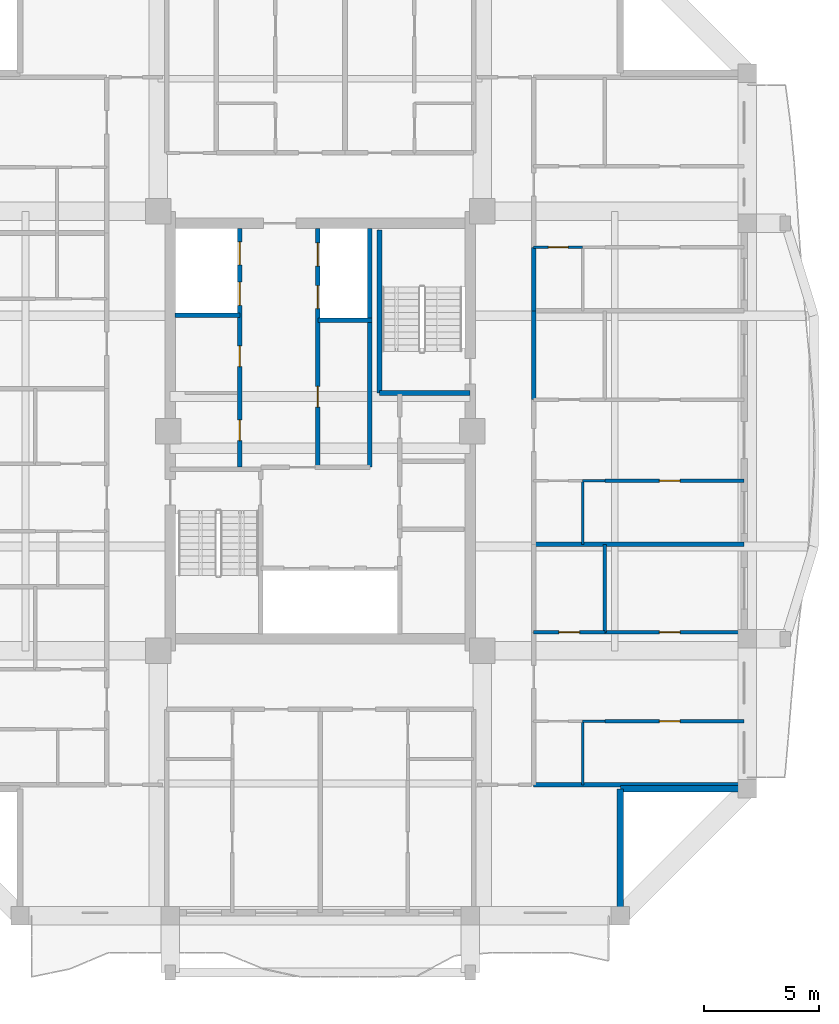
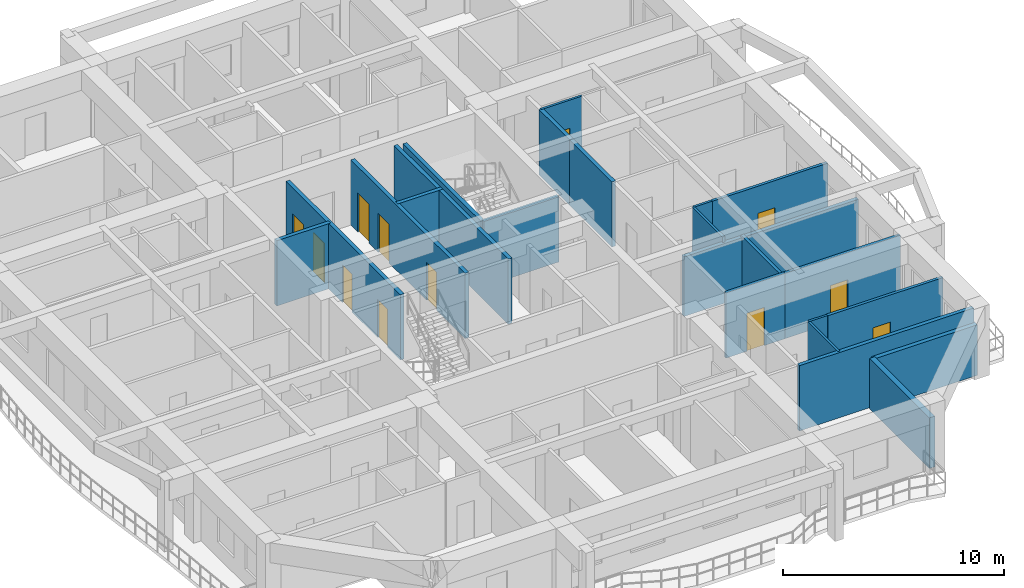
# One storey, part 5 of 14: 24 walls, 12 doors, 12 openings.
"""IFC4 building model written with IfcOpenShell, lengths in metres."""

import ifcopenshell
import ifcopenshell.guid

model = None  # the IFC model being written
_history = None  # IfcOwnerHistory: only IFC2X3 demands one
_inside = {}  # id of a spatial element -> (the spatial element, [elements in it])
_under = {}  # id of a project, library or spatial element -> (it, [spatial elements below it])
_declared = {}  # id of a project -> (the project, [libraries it declares])
_typed = {}  # id of a type object -> (the type object, [elements of that type])
_made_of = {}  # id of a material, layer set ... -> (it, [elements and type objects made of it])


def new_model(schema):
    """Start an empty IFC model of exactly this schema.

    Asked for "IFC4X3", IfcOpenShell would pick the latest addendum, in which some entities
    have other attributes; the version numbers below select the first issue.
    IFC2X3 requires an IfcOwnerHistory on every rooted entity: one is made here for all.
    """
    global model, _history
    if schema == "IFC4X3":
        model = ifcopenshell.file(schema_version=(4, 3, 0, 0))
    else:
        model = ifcopenshell.file(schema=schema)
    _inside.clear()
    _under.clear()
    _declared.clear()
    _typed.clear()
    _made_of.clear()
    _history = None
    if model.schema == "IFC2X3":
        org = make("IfcOrganization", Name="unknown")
        user = make(
            "IfcPersonAndOrganization",
            ThePerson=make("IfcPerson", FamilyName="unknown"),
            TheOrganization=org,
        )
        app = make(
            "IfcApplication",
            ApplicationDeveloper=org,
            Version="unknown",
            ApplicationFullName="unknown",
            ApplicationIdentifier="unknown",
        )
        _history = make(
            "IfcOwnerHistory",
            OwningUser=user,
            OwningApplication=app,
            ChangeAction="ADDED",
            CreationDate=0,
        )
    return model


def make(cls, **values):
    """One entity of the class cls with the attributes given. An attribute that is None is left unset."""
    return model.create_entity(
        cls, **{name: value for name, value in values.items() if value is not None}
    )


def rooted(cls, **values):
    """An entity with a GlobalId (a new one), such as an element, a storey or a relation."""
    return make(cls, GlobalId=ifcopenshell.guid.new(), OwnerHistory=_history, **values)


def si_unit(unit_type, name, prefix=None):
    """IfcSIUnit, for example si_unit("LENGTHUNIT", "METRE", prefix="MILLI")."""
    return make("IfcSIUnit", UnitType=unit_type, Prefix=prefix, Name=name)


def assignment(units):
    """IfcUnitAssignment: the units of a project."""
    return None if units is None else make("IfcUnitAssignment", Units=units)


def point(xyz):
    """IfcCartesianPoint."""
    return None if xyz is None else make("IfcCartesianPoint", Coordinates=xyz)


def direction(xyz):
    """IfcDirection."""
    return None if xyz is None else make("IfcDirection", DirectionRatios=xyz)


def frame(location, z_axis=None, x_axis=None):
    """IfcAxis2Placement3D, a coordinate frame: its origin and axes. An axis left out is left unset."""
    return make(
        "IfcAxis2Placement3D",
        Location=point(location),
        Axis=direction(z_axis),
        RefDirection=direction(x_axis),
    )


def frame_2d(location, x_axis=None):
    """IfcAxis2Placement2D, a coordinate frame in the plane: its origin and x axis."""
    return make(
        "IfcAxis2Placement2D", Location=point(location), RefDirection=direction(x_axis)
    )


def origin():
    """The frame at (0, 0, 0) with its axes left unset."""
    return frame((0.0, 0.0, 0.0))


def place(relative_to, where):
    """IfcLocalPlacement: puts the frame where relative to a parent placement (None: the world)."""
    return make(
        "IfcLocalPlacement", PlacementRelTo=relative_to, RelativePlacement=where
    )


def context(
    kind, dimensions, precision=None, world=None, true_north=None, identifier=None
):
    """IfcGeometricRepresentationContext, for example the 3D "Model" context."""
    return make(
        "IfcGeometricRepresentationContext",
        ContextIdentifier=identifier,
        ContextType=kind,
        CoordinateSpaceDimension=dimensions,
        Precision=precision,
        WorldCoordinateSystem=world,
        TrueNorth=true_north,
    )


def subcontext(parent, identifier, kind, view, scale=None):
    """IfcGeometricRepresentationSubContext, for example "Body" below "Model"."""
    return make(
        "IfcGeometricRepresentationSubContext",
        ContextIdentifier=identifier,
        ContextType=kind,
        ParentContext=parent,
        TargetScale=scale,
        TargetView=view,
    )


def project(units=None, contexts=None):
    """IfcProject with its units and contexts."""
    return rooted(
        "IfcProject",
        Name="project",
        RepresentationContexts=contexts,
        UnitsInContext=assignment(units),
    )


def spatial(cls, under=None, at=None, **own):
    """A site, building, storey or space (cls), placed at a placement, below another one or the project."""
    s = rooted(cls, ObjectPlacement=at, **own)
    if under is not None:
        _under.setdefault(under.id(), (under, []))[1].append(s)
    return s


def profile(cls, at=None, kind="AREA", **sizes):
    """A parametric profile (cls). Its sizes go by their IFC names, for example OverallWidth=200.0."""
    return make(cls, ProfileType=kind, Position=at, **sizes)


def rectangle(**sizes):
    """IfcRectangleProfileDef."""
    return profile("IfcRectangleProfileDef", **sizes)


def extrude(swept, where, along, depth):
    """IfcExtrudedAreaSolid: the profile swept, set in the frame where, extruded along a direction by depth."""
    return make(
        "IfcExtrudedAreaSolid",
        SweptArea=swept,
        Position=where,
        ExtrudedDirection=direction(along),
        Depth=depth,
    )


def shape(context_of_items, identifier, shape_type, items):
    """IfcShapeRepresentation: the items that make up one representation, for example the "Body"."""
    return make(
        "IfcShapeRepresentation",
        ContextOfItems=context_of_items,
        RepresentationIdentifier=identifier,
        RepresentationType=shape_type,
        Items=items,
    )


def source(mapping_origin, context_of_items, identifier, shape_type, items):
    """IfcRepresentationMap: a shape defined once, which mapped items show again and again."""
    return make(
        "IfcRepresentationMap",
        MappingOrigin=mapping_origin,
        MappedRepresentation=shape(context_of_items, identifier, shape_type, items),
    )


def transform(
    local_origin,
    x_axis=None,
    y_axis=None,
    z_axis=None,
    scale=None,
    scale2=None,
    scale3=None,
    uniform=True,
):
    """IfcCartesianTransformationOperator3D, or its non-uniform kind. x_axis, y_axis, z_axis: its Axis1, 2, 3."""
    if uniform:
        return make(
            "IfcCartesianTransformationOperator3D",
            Axis1=direction(x_axis),
            Axis2=direction(y_axis),
            LocalOrigin=point(local_origin),
            Scale=scale,
            Axis3=direction(z_axis),
        )
    return make(
        "IfcCartesianTransformationOperator3DnonUniform",
        Axis1=direction(x_axis),
        Axis2=direction(y_axis),
        LocalOrigin=point(local_origin),
        Scale=scale,
        Axis3=direction(z_axis),
        Scale2=scale2,
        Scale3=scale3,
    )


def mapped(mapping_source, mapping_target):
    """IfcMappedItem: shows the shape of a source again, moved by a transform."""
    return make(
        "IfcMappedItem", MappingSource=mapping_source, MappingTarget=mapping_target
    )


def material(Name=None, Category=None):
    """IfcMaterial."""
    return make("IfcMaterial", Name=Name, Category=Category)


def layer(
    of_material, thickness, ventilated=None, Name=None, Category=None, Priority=None
):
    """IfcMaterialLayer: one layer of a wall or slab, of a material (None: an air gap)."""
    return make(
        "IfcMaterialLayer",
        Material=of_material,
        LayerThickness=thickness,
        IsVentilated=ventilated,
        Name=Name,
        Category=Category,
        Priority=Priority,
    )


def layer_set(layers, Name=None):
    """IfcMaterialLayerSet."""
    return make("IfcMaterialLayerSet", MaterialLayers=layers, LayerSetName=Name)


def made_of(thing, what):
    """Note that an element or type object is made of a material, layer set ...; save() writes the relation."""
    if what is not None:
        _made_of.setdefault(what.id(), (what, []))[1].append(thing)
    return thing


def type_object(cls, material=None, **own):
    """A type object (cls), such as IfcWallType, which elements share."""
    return made_of(rooted(cls, **own), material)


def element(
    cls,
    number,
    at=None,
    inside=None,
    cuts=None,
    type_object=None,
    material=None,
    context=None,
    identifier="Body",
    shape_type=None,
    held_by="IfcProductDefinitionShape",
    body=None,
    shapes=None,
    **own,
):
    """One element of the class cls, such as IfcWall. Its Tag is "e" and its number.

    at: its placement. inside: the storey or other place that contains it. cuts: it is an
    opening in that element (IfcRelVoidsElement). A single representation is given by context,
    identifier, shape_type and body (its items); several are given by shapes. held_by: the class
    of the entity that holds the representations. save() writes the other relations.
    """
    e = rooted(cls, Tag="e%d" % number, ObjectPlacement=at, **own)
    if body is not None:
        shapes = [shape(context, identifier, shape_type, body)]
    if shapes is not None:
        e.Representation = make(held_by, Representations=shapes)
    if inside is not None:
        _inside.setdefault(inside.id(), (inside, []))[1].append(e)
    if cuts is not None:
        rooted(
            "IfcRelVoidsElement", RelatingBuildingElement=cuts, RelatedOpeningElement=e
        )
    if type_object is not None:
        _typed.setdefault(type_object.id(), (type_object, []))[1].append(e)
    return made_of(e, material)


def fill(opening, filler):
    """IfcRelFillsElement: the door or window that sits in an opening."""
    return rooted(
        "IfcRelFillsElement",
        RelatingOpeningElement=opening,
        RelatedBuildingElement=filler,
    )


def aggregate(whole, parts):
    """IfcRelAggregates: a whole, such as a stair, and the parts it consists of."""
    return rooted("IfcRelAggregates", RelatingObject=whole, RelatedObjects=parts)


def save(model, path):
    """Write the relations noted so far, then the file.

    IfcRelAggregates (storeys below a building ...), IfcRelContainedInSpatialStructure (elements
    in a storey), IfcRelDefinesByType, IfcRelAssociatesMaterial and IfcRelDeclares: one each for
    every whole, place, type object, material and project.
    """
    for whole, parts in _under.values():
        aggregate(whole, parts)
    for where, things in _inside.values():
        rooted(
            "IfcRelContainedInSpatialStructure",
            RelatedElements=things,
            RelatingStructure=where,
        )
    for kind, things in _typed.values():
        rooted("IfcRelDefinesByType", RelatedObjects=things, RelatingType=kind)
    for what, things in _made_of.values():
        rooted("IfcRelAssociatesMaterial", RelatedObjects=things, RelatingMaterial=what)
    for by, libraries in _declared.values():
        rooted("IfcRelDeclares", RelatingContext=by, RelatedDefinitions=libraries)
    model.write(path)


model = new_model("IFC4")

# Units and contexts
model_context = context("Model", 3, precision=1e-05, world=origin(), true_north=direction((0.0, 1.0)))
body_context = subcontext(model_context, "Body", "Model", "MODEL_VIEW")
ifc_project = project(units=[si_unit("LENGTHUNIT", "METRE"), si_unit("AREAUNIT", "SQUARE_METRE"), si_unit("VOLUMEUNIT", "CUBIC_METRE"), si_unit("PLANEANGLEUNIT", "RADIAN"), si_unit("MASSUNIT", "GRAM", prefix="KILO")], contexts=[model_context])

# Site, building, storey
site_placement = place(None, origin())
site = spatial("IfcSite", under=ifc_project, at=site_placement, CompositionType="ELEMENT")
building_placement = place(site_placement, origin())
building = spatial("IfcBuilding", under=site, at=building_placement, Name="Saelheon Loggia Tower", CompositionType="ELEMENT")
storey_placement = place(building_placement, frame((0.0, 0.0, 202.60009765625)))
storey = spatial("IfcBuildingStorey", under=building, at=storey_placement, Name="L63", CompositionType="ELEMENT", Elevation=202.60009765625)

# Walls
ifc_material_1 = material(Name="Architectural Precast Concrete C40/50", Category="concrete")
ifc_layer_1 = layer(ifc_material_1, 0.280029296875)
ifc_layer_set_1 = layer_set([ifc_layer_1], Name="Architectural Precast Concrete C40/50")
wall_type_1 = type_object("IfcWallType", Name="Wall_Ext_Loggia_280", PredefinedType="SOLIDWALL", material=ifc_layer_set_1)
for number, where, z_axis, x_axis, name in (
    (1, (51.0, 6.080078125, 0.0), (0.0, 0.0, 1.0), (0.0, 1.0, 0.0), "L63 Corner Notch Precast Wall SE1"),
    (2, (51.0, 11.5, 0.0), (0.0, 0.0, 1.0), (1.0, 0.0, 0.0), "L63 Corner Notch Precast Wall SE2"),
):
    element("IfcWall", number, at=place(storey_placement, frame(where, z_axis=z_axis, x_axis=x_axis)), inside=storey, type_object=wall_type_1, Name=name, PredefinedType="SOLIDWALL", context=body_context, shape_type="SweptSolid", body=[
        extrude(rectangle(XDim=5.419921875, YDim=0.280029296875, at=frame_2d((2.7099609375, 0.0))), origin(), (0.0, 0.0, 1.0), 2.789794921875),
    ])
ifc_material_2 = material(Name="Lightweight Autoclaved Aerated Concrete Block and Acoustic Gypsum", Category="concrete")
ifc_layer_2 = layer(ifc_material_2, 0.14990234375)
ifc_layer_set_2 = layer_set([ifc_layer_2], Name="Lightweight Autoclaved Aerated Concrete Block and Acoustic Gypsum")
wall_type_2 = type_object("IfcWallType", Name="Wall_Part_150", PredefinedType="PARTITIONING", material=ifc_layer_set_2)
wall_1_placement = place(storey_placement, frame((50.330078125, 18.280029296875, 0.0), z_axis=(0.0, 0.0, 1.0), x_axis=(0.0, 1.0, 0.0)))
element("IfcWall", 3, at=wall_1_placement, inside=storey, type_object=wall_type_2, Name="L63 E Partition V07", PredefinedType="PARTITIONING", context=body_context, shape_type="SweptSolid", body=[
    extrude(rectangle(XDim=3.817626953125, YDim=0.14990234375, at=frame_2d((1.90869140625, 0.0))), origin(), (0.0, 0.0, 1.0), 3.389892578125),
])

# Wall, opening, door
wall_2_placement = place(storey_placement, frame((50.330078125, 14.429931640625, 0.0), z_axis=(0.0, 0.0, 1.0), x_axis=(1.0, 0.0, 0.0)))
wall_2 = element("IfcWall", 4, at=wall_2_placement, inside=storey, type_object=wall_type_2, Name="L63 E Partition U10", PredefinedType="PARTITIONING", context=body_context, shape_type="SweptSolid", body=[
    extrude(rectangle(XDim=6.02001953125, YDim=0.14990234375, at=frame_2d((3.010009765625, 0.0))), origin(), (0.0, 0.0, 1.0), 3.599853515625),
])
opening_1_placement = place(wall_2_placement, frame((2.36669921875, 0.0, 0.0)))
opening_1 = element("IfcOpeningElement", 5, at=opening_1_placement, cuts=wall_2, Name="Opening D-IN2", PredefinedType="OPENING", context=body_context, shape_type="SweptSolid", body=[
    extrude(rectangle(XDim=0.89990234375, YDim=2.10009765625, at=frame_2d((0.449951171875, 1.050048828125))), frame((0.0, 0.0869140625, 0.0), z_axis=(0.0, -1.0, 0.0), x_axis=(1.0, 0.0, 0.0)), (0.0, 0.0, 1.0), 0.173828125),
])
ifc_material_3 = material(Name="Engineered Oak Flush Door", Category="timber")
door_type_1 = type_object("IfcDoorType", Name="Door_Int_900", OperationType="NOTDEFINED", PredefinedType="DOOR", material=ifc_material_3)
shared_shape_1 = source(origin(), body_context, "Body", "SweptSolid", [
    extrude(rectangle(XDim=0.89990234375, YDim=2.10009765625, at=frame_2d((0.449951171875, 1.050048828125))), frame((0.0, 0.02490234375, 0.0), z_axis=(0.0, -1.0, 0.0), x_axis=(1.0, 0.0, 0.0)), (0.0, 0.0, 1.0), 0.050048828125),
])
door_1_placement = place(opening_1_placement, origin())
door_1 = element("IfcDoor", 6, at=door_1_placement, inside=storey, type_object=door_type_1, Name="Unit U09 Kitchen Door", OperationType="SINGLE_SWING_LEFT", OverallHeight=2.10009765625, OverallWidth=0.89990234375, PredefinedType="DOOR", context=body_context, shape_type="MappedRepresentation", body=[
    mapped(shared_shape_1, transform((0.0, 0.0, 0.0), scale=1.0)),
])
fill(opening_1, door_1)

wall_3_placement = place(storey_placement, frame((47.25, 18.280029296875, 0.0), z_axis=(0.0, 0.0, 1.0), x_axis=(1.0, 0.0, 0.0)))
wall_3 = element("IfcWall", 7, at=wall_3_placement, inside=storey, type_object=wall_type_2, Name="L63 E Partition U11", PredefinedType="PARTITIONING", context=body_context, shape_type="SweptSolid", body=[
    extrude(rectangle(XDim=3.080078125, YDim=0.14990234375, at=frame_2d((1.5400390625, 0.0))), origin(), (0.0, 0.0, 1.0), 3.599853515625),
])
opening_2_placement = place(wall_3_placement, frame((1.090087890625, 0.0, 0.0)))
opening_2 = element("IfcOpeningElement", 8, at=opening_2_placement, cuts=wall_3, Name="Opening D-IN2", PredefinedType="OPENING", context=body_context, shape_type="SweptSolid", body=[
    extrude(rectangle(XDim=0.89990234375, YDim=2.10009765625, at=frame_2d((0.449951171875, 1.050048828125))), frame((0.0, 0.0869140625, 0.0), z_axis=(0.0, -1.0, 0.0), x_axis=(1.0, 0.0, 0.0)), (0.0, 0.0, 1.0), 0.173828125),
])
door_2_placement = place(opening_2_placement, origin())
door_2 = element("IfcDoor", 9, at=door_2_placement, inside=storey, type_object=door_type_1, Name="Unit U09 Home Office Door", OperationType="SINGLE_SWING_RIGHT", OverallHeight=2.10009765625, OverallWidth=0.89990234375, PredefinedType="DOOR", context=body_context, shape_type="MappedRepresentation", body=[
    mapped(shared_shape_1, transform((0.0, 0.0, 0.0), scale=1.0)),
])
fill(opening_2, door_2)

wall_4_placement = place(storey_placement, frame((50.330078125, 18.280029296875, 0.0), z_axis=(0.0, 0.0, 1.0), x_axis=(1.0, 0.0, 0.0)))
wall_4 = element("IfcWall", 10, at=wall_4_placement, inside=storey, type_object=wall_type_2, Name="L63 E Partition U12", PredefinedType="PARTITIONING", context=body_context, shape_type="SweptSolid", body=[
    extrude(rectangle(XDim=6.02001953125, YDim=0.14990234375, at=frame_2d((3.010009765625, 0.0))), origin(), (0.0, 0.0, 1.0), 3.599853515625),
])
opening_3_placement = place(wall_4_placement, frame((2.36669921875, 0.0, 0.0)))
opening_3 = element("IfcOpeningElement", 11, at=opening_3_placement, cuts=wall_4, Name="Opening D-IN2", PredefinedType="OPENING", context=body_context, shape_type="SweptSolid", body=[
    extrude(rectangle(XDim=0.89990234375, YDim=2.10009765625, at=frame_2d((0.449951171875, 1.050048828125))), frame((0.0, 0.0869140625, 0.0), z_axis=(0.0, -1.0, 0.0), x_axis=(1.0, 0.0, 0.0)), (0.0, 0.0, 1.0), 0.173828125),
])
door_3_placement = place(opening_3_placement, origin())
door_3 = element("IfcDoor", 12, at=door_3_placement, inside=storey, type_object=door_type_1, Name="Unit U09 Bedroom 1 Door", OperationType="SINGLE_SWING_LEFT", OverallHeight=2.10009765625, OverallWidth=0.89990234375, PredefinedType="DOOR", context=body_context, shape_type="MappedRepresentation", body=[
    mapped(shared_shape_1, transform((0.0, 0.0, 0.0), scale=1.0)),
])
fill(opening_3, door_3)

wall_5_placement = place(storey_placement, frame((50.330078125, 24.84765625, 0.0), z_axis=(0.0, 0.0, 1.0), x_axis=(1.0, 0.0, 0.0)))
wall_5 = element("IfcWall", 13, at=wall_5_placement, inside=storey, type_object=wall_type_2, Name="L63 E Partition U21", PredefinedType="PARTITIONING", context=body_context, shape_type="SweptSolid", body=[
    extrude(rectangle(XDim=6.02001953125, YDim=0.14990234375, at=frame_2d((3.010009765625, 0.0))), origin(), (0.0, 0.0, 1.0), 3.599853515625),
])
opening_4_placement = place(wall_5_placement, frame((2.36669921875, 0.0, 0.0)))
opening_4 = element("IfcOpeningElement", 14, at=opening_4_placement, cuts=wall_5, Name="Opening D-IN2", PredefinedType="OPENING", context=body_context, shape_type="SweptSolid", body=[
    extrude(rectangle(XDim=0.89990234375, YDim=2.10009765625, at=frame_2d((0.449951171875, 1.050048828125))), frame((0.0, 0.0869140625, 0.0), z_axis=(0.0, -1.0, 0.0), x_axis=(1.0, 0.0, 0.0)), (0.0, 0.0, 1.0), 0.173828125),
])
door_4_placement = place(opening_4_placement, origin())
door_4 = element("IfcDoor", 15, at=door_4_placement, inside=storey, type_object=door_type_1, Name="Unit U10 Kitchen Door", OperationType="SINGLE_SWING_RIGHT", OverallHeight=2.10009765625, OverallWidth=0.89990234375, PredefinedType="DOOR", context=body_context, shape_type="MappedRepresentation", body=[
    mapped(shared_shape_1, transform((0.0, 0.0, 0.0), scale=1.0)),
])
fill(opening_4, door_4)

# Walls
ifc_material_4 = material(Name="Double Acoustic Stud and Fireboard Partition", Category="gypsum")
ifc_layer_3 = layer(ifc_material_4, 0.199951171875)
ifc_layer_set_3 = layer_set([ifc_layer_3], Name="Double Acoustic Stud and Fireboard Partition")
wall_type_3 = type_object("IfcWallType", Name="Wall_Party_200", PredefinedType="PARTITIONING", material=ifc_layer_set_3)
wall_6_placement = place(storey_placement, frame((47.25, 11.679931640625, 0.0), z_axis=(0.0, 0.0, 1.0), x_axis=(1.0, 0.0, 0.0)))
element("IfcWall", 16, at=wall_6_placement, inside=storey, type_object=wall_type_3, Name="L63 E Partition U01", PredefinedType="PARTITIONING", context=body_context, shape_type="SweptSolid", body=[
    extrude(rectangle(XDim=9.10009765625, YDim=0.199951171875, at=frame_2d((4.550048828125, 0.0))), origin(), (0.0, 0.0, 1.0), 3.599853515625),
])
wall_7_placement = place(storey_placement, frame((47.25, 22.09765625, 0.0), z_axis=(0.0, 0.0, 1.0), x_axis=(1.0, 0.0, 0.0)))
element("IfcWall", 17, at=wall_7_placement, inside=storey, type_object=wall_type_3, Name="L63 E Partition U13", PredefinedType="PARTITIONING", context=body_context, shape_type="SweptSolid", body=[
    extrude(rectangle(XDim=9.10009765625, YDim=0.199951171875, at=frame_2d((4.550048828125, 0.0))), origin(), (0.0, 0.0, 1.0), 3.289794921875),
])
wall_8_placement = place(storey_placement, frame((47.25, 28.366455078125, 0.0), z_axis=(0.0, 0.0, 1.0), x_axis=(0.0, 1.0, 0.0)))
element("IfcWall", 18, at=wall_8_placement, inside=storey, type_object=wall_type_3, Name="L63 E Partition V16", PredefinedType="PARTITIONING", context=body_context, shape_type="SweptSolid", body=[
    extrude(rectangle(XDim=3.84228515625, YDim=0.199951171875, at=frame_2d((1.921142578125, 0.0))), origin(), (0.0, 0.0, 1.0), 3.599853515625),
])
wall_9_placement = place(storey_placement, frame((47.25, 32.208740234375, 0.0), z_axis=(0.0, 0.0, 1.0), x_axis=(0.0, 1.0, 0.0)))
element("IfcWall", 19, at=wall_9_placement, inside=storey, type_object=wall_type_3, Name="L63 E Partition V25", PredefinedType="PARTITIONING", context=body_context, shape_type="SweptSolid", body=[
    extrude(rectangle(XDim=2.75, YDim=0.199951171875, at=frame_2d((1.375, 0.0))), origin(), (0.0, 0.0, 1.0), 3.599853515625),
])
ifc_material_5 = material(Name="Concrete C40/50", Category="concrete")
ifc_layer_4 = layer(ifc_material_5, 0.199951171875)
ifc_layer_set_4 = layer_set([ifc_layer_4], Name="Concrete C40/50")
wall_type_4 = type_object("IfcWallType", Name="Wall_Shaft_200", PredefinedType="PARTITIONING", material=ifc_layer_set_4)
wall_10_placement = place(storey_placement, frame((40.14990234375, 25.43994140625, 0.0), z_axis=(0.0, 0.0, 1.0), x_axis=(0.0, 1.0, 0.0)))
element("IfcWall", 20, at=wall_10_placement, inside=storey, type_object=wall_type_4, Name="L63 Core Service Passage West Wall", PredefinedType="PARTITIONING", context=body_context, shape_type="SweptSolid", body=[
    extrude(rectangle(XDim=6.360107421875, YDim=0.199951171875, at=frame_2d((3.18017578125, 0.0))), origin(), (0.0, 0.0, 1.0), 3.599853515625),
])
wall_11_placement = place(storey_placement, frame((40.14990234375, 31.800048828125, 0.0), z_axis=(0.0, 0.0, 1.0), x_axis=(0.0, 1.0, 0.0)))
element("IfcWall", 21, at=wall_11_placement, inside=storey, type_object=wall_type_4, Name="L63 East High-Rise Hoistway East Wall", PredefinedType="PARTITIONING", context=body_context, shape_type="SweptSolid", body=[
    extrude(rectangle(XDim=3.97998046875, YDim=0.199951171875, at=frame_2d((1.989990234375, 0.0))), origin(), (0.0, 0.0, 1.0), 3.599853515625),
])

# Wall, openings, doors
wall_12_placement = place(storey_placement, frame((34.52001953125, 25.43994140625, 0.0), z_axis=(0.0, 0.0, 1.0), x_axis=(0.0, 1.0, 0.0)))
wall_12 = element("IfcWall", 22, at=wall_12_placement, inside=storey, type_object=wall_type_4, Name="L63 West Passenger Lift Bank Wall", PredefinedType="PARTITIONING", context=body_context, shape_type="SweptSolid", body=[
    extrude(rectangle(XDim=10.340087890625, YDim=0.199951171875, at=frame_2d((5.169921875, 0.0))), origin(), (0.0, 0.0, 1.0), 3.599853515625),
])
opening_5_placement = place(wall_12_placement, frame((1.14990234375, 0.0, 0.0)))
opening_5 = element("IfcOpeningElement", 23, at=opening_5_placement, cuts=wall_12, Name="Opening D-RS1", PredefinedType="OPENING", context=body_context, shape_type="SweptSolid", body=[
    extrude(rectangle(XDim=0.89990234375, YDim=2.10009765625, at=frame_2d((0.449951171875, 1.050048828125))), frame((0.0, 0.112060546875, 0.0), z_axis=(0.0, -1.0, 0.0), x_axis=(1.0, 0.0, 0.0)), (0.0, 0.0, 1.0), 0.223876953125),
])
opening_6_placement = place(wall_12_placement, frame((4.35009765625, 0.0, 0.0)))
opening_6 = element("IfcOpeningElement", 24, at=opening_6_placement, cuts=wall_12, Name="Opening D-RS1", PredefinedType="OPENING", context=body_context, shape_type="SweptSolid", body=[
    extrude(rectangle(XDim=0.89990234375, YDim=2.10009765625, at=frame_2d((0.449951171875, 1.050048828125))), frame((0.0, 0.112060546875, 0.0), z_axis=(0.0, -1.0, 0.0), x_axis=(1.0, 0.0, 0.0)), (0.0, 0.0, 1.0), 0.223876953125),
])
opening_7_placement = place(wall_12_placement, frame((7.010009765625, 0.0, 0.0)))
opening_7 = element("IfcOpeningElement", 25, at=opening_7_placement, cuts=wall_12, Name="Opening LD1", PredefinedType="OPENING", context=body_context, shape_type="SweptSolid", body=[
    extrude(rectangle(XDim=1.0, YDim=2.14990234375, at=frame_2d((0.5, 1.074951171875))), frame((0.0, 0.112060546875, 0.0), z_axis=(0.0, -1.0, 0.0), x_axis=(1.0, 0.0, 0.0)), (0.0, 0.0, 1.0), 0.223876953125),
])
opening_8_placement = place(wall_12_placement, frame((8.760009765625, 0.0, 0.0)))
opening_8 = element("IfcOpeningElement", 26, at=opening_8_placement, cuts=wall_12, Name="Opening LD1", PredefinedType="OPENING", context=body_context, shape_type="SweptSolid", body=[
    extrude(rectangle(XDim=1.0, YDim=2.14990234375, at=frame_2d((0.5, 1.074951171875))), frame((0.0, 0.112060546875, 0.0), z_axis=(0.0, -1.0, 0.0), x_axis=(1.0, 0.0, 0.0)), (0.0, 0.0, 1.0), 0.223876953125),
])
ifc_material_6 = material(Name="Galvanised Steel Riser Access Door", Category="steel")
door_type_2 = type_object("IfcDoorType", Name="Door_Riser_FD60", OperationType="NOTDEFINED", PredefinedType="DOOR", material=ifc_material_6)
door_5_placement = place(opening_5_placement, origin())
door_5 = element("IfcDoor", 27, at=door_5_placement, inside=storey, type_object=door_type_2, Name="L63 Parcel Store Door", OperationType="SINGLE_SWING_LEFT", OverallHeight=2.10009765625, OverallWidth=0.89990234375, PredefinedType="DOOR", context=body_context, shape_type="MappedRepresentation", body=[
    mapped(shared_shape_1, transform((0.0, 0.0, 0.0), scale=1.0)),
])
fill(opening_5, door_5)
door_6_placement = place(opening_6_placement, origin())
door_6 = element("IfcDoor", 28, at=door_6_placement, inside=storey, type_object=door_type_2, Name="L63 Smart Metering Door", OperationType="SINGLE_SWING_RIGHT", OverallHeight=2.10009765625, OverallWidth=0.89990234375, PredefinedType="DOOR", context=body_context, shape_type="MappedRepresentation", body=[
    mapped(shared_shape_1, transform((0.0, 0.0, 0.0), scale=1.0)),
])
fill(opening_6, door_6)
ifc_material_7 = material(Name="Brushed Stainless Steel 304 Landing Door", Category="steel")
door_type_3 = type_object("IfcDoorType", Name="Door_Lift_LD1", OperationType="DOUBLE_DOOR_SLIDING", PredefinedType="DOOR", material=ifc_material_7)
shared_shape_2 = source(origin(), body_context, "Body", "SweptSolid", [
    extrude(rectangle(XDim=1.0, YDim=2.14990234375, at=frame_2d((0.5, 1.074951171875))), frame((0.0, 0.02490234375, 0.0), z_axis=(0.0, -1.0, 0.0), x_axis=(1.0, 0.0, 0.0)), (0.0, 0.0, 1.0), 0.050048828125),
])
door_7_placement = place(opening_7_placement, origin())
door_7 = element("IfcDoor", 29, at=door_7_placement, inside=storey, type_object=door_type_3, Name="L63 PH1 Landing Door", OperationType="DOUBLE_DOOR_SLIDING", OverallHeight=2.14990234375, OverallWidth=1.0, PredefinedType="DOOR", context=body_context, shape_type="MappedRepresentation", body=[
    mapped(shared_shape_2, transform((0.0, 0.0, 0.0), scale=1.0)),
])
fill(opening_7, door_7)
door_8_placement = place(opening_8_placement, origin())
door_8 = element("IfcDoor", 30, at=door_8_placement, inside=storey, type_object=door_type_3, Name="L63 PH2 Landing Door", OperationType="DOUBLE_DOOR_SLIDING", OverallHeight=2.14990234375, OverallWidth=1.0, PredefinedType="DOOR", context=body_context, shape_type="MappedRepresentation", body=[
    mapped(shared_shape_2, transform((0.0, 0.0, 0.0), scale=1.0)),
])
fill(opening_8, door_8)

# Wall
wall_13_placement = place(storey_placement, frame((31.719970703125, 32.02001953125, 0.0), z_axis=(0.0, 0.0, 1.0), x_axis=(1.0, 0.0, 0.0)))
element("IfcWall", 31, at=wall_13_placement, inside=storey, type_object=wall_type_4, Name="L63 West High-Rise Shaft Divider", PredefinedType="PARTITIONING", context=body_context, shape_type="SweptSolid", body=[
    extrude(rectangle(XDim=2.800048828125, YDim=0.199951171875, at=frame_2d((1.39990234375, 0.0))), origin(), (0.0, 0.0, 1.0), 3.599853515625),
])

# Wall, openings, doors
wall_14_placement = place(storey_placement, frame((37.89990234375, 25.43994140625, 0.0), z_axis=(0.0, 0.0, 1.0), x_axis=(0.0, 1.0, 0.0)))
wall_14 = element("IfcWall", 32, at=wall_14_placement, inside=storey, type_object=wall_type_4, Name="L63 East Passenger Lift Bank Wall", PredefinedType="PARTITIONING", context=body_context, shape_type="SweptSolid", body=[
    extrude(rectangle(XDim=10.340087890625, YDim=0.199951171875, at=frame_2d((5.169921875, 0.0))), origin(), (0.0, 0.0, 1.0), 3.599853515625),
])
opening_9_placement = place(wall_14_placement, frame((2.60009765625, 0.0, 0.0)))
opening_9 = element("IfcOpeningElement", 33, at=opening_9_placement, cuts=wall_14, Name="Opening D-RS1", PredefinedType="OPENING", context=body_context, shape_type="SweptSolid", body=[
    extrude(rectangle(XDim=0.89990234375, YDim=2.10009765625, at=frame_2d((0.449951171875, 1.050048828125))), frame((0.0, 0.112060546875, 0.0), z_axis=(0.0, -1.0, 0.0), x_axis=(1.0, 0.0, 0.0)), (0.0, 0.0, 1.0), 0.223876953125),
])
opening_10_placement = place(wall_14_placement, frame((6.860107421875, 0.0, 0.0)))
opening_10 = element("IfcOpeningElement", 34, at=opening_10_placement, cuts=wall_14, Name="Opening LD1", PredefinedType="OPENING", context=body_context, shape_type="SweptSolid", body=[
    extrude(rectangle(XDim=1.0, YDim=2.14990234375, at=frame_2d((0.5, 1.074951171875))), frame((0.0, 0.112060546875, 0.0), z_axis=(0.0, -1.0, 0.0), x_axis=(1.0, 0.0, 0.0)), (0.0, 0.0, 1.0), 0.223876953125),
])
opening_11_placement = place(wall_14_placement, frame((8.7099609375, 0.0, 0.0)))
opening_11 = element("IfcOpeningElement", 35, at=opening_11_placement, cuts=wall_14, Name="Opening LD1", PredefinedType="OPENING", context=body_context, shape_type="SweptSolid", body=[
    extrude(rectangle(XDim=1.0, YDim=2.14990234375, at=frame_2d((0.5, 1.074951171875))), frame((0.0, 0.112060546875, 0.0), z_axis=(0.0, -1.0, 0.0), x_axis=(1.0, 0.0, 0.0)), (0.0, 0.0, 1.0), 0.223876953125),
])
door_9_placement = place(opening_9_placement, origin())
door_9 = element("IfcDoor", 36, at=door_9_placement, inside=storey, type_object=door_type_2, Name="L63 Upper Storage Room Door", OperationType="SINGLE_SWING_LEFT", OverallHeight=2.10009765625, OverallWidth=0.89990234375, PredefinedType="DOOR", context=body_context, shape_type="MappedRepresentation", body=[
    mapped(shared_shape_1, transform((0.0, 0.0, 0.0), scale=1.0)),
])
fill(opening_9, door_9)
door_10_placement = place(opening_10_placement, origin())
door_10 = element("IfcDoor", 37, at=door_10_placement, inside=storey, type_object=door_type_3, Name="L63 PH3 Landing Door", OperationType="DOUBLE_DOOR_SLIDING", OverallHeight=2.14990234375, OverallWidth=1.0, PredefinedType="DOOR", context=body_context, shape_type="MappedRepresentation", body=[
    mapped(shared_shape_2, transform((0.0, 0.0, 0.0), scale=1.0)),
])
fill(opening_10, door_10)
door_11_placement = place(opening_11_placement, origin())
door_11 = element("IfcDoor", 38, at=door_11_placement, inside=storey, type_object=door_type_3, Name="L63 PH4 Landing Door", OperationType="DOUBLE_DOOR_SLIDING", OverallHeight=2.14990234375, OverallWidth=1.0, PredefinedType="DOOR", context=body_context, shape_type="MappedRepresentation", body=[
    mapped(shared_shape_2, transform((0.0, 0.0, 0.0), scale=1.0)),
])
fill(opening_11, door_11)

# Walls
wall_15_placement = place(storey_placement, frame((37.89990234375, 31.800048828125, 0.0), z_axis=(0.0, 0.0, 1.0), x_axis=(1.0, 0.0, 0.0)))
element("IfcWall", 39, at=wall_15_placement, inside=storey, type_object=wall_type_4, Name="L63 East High-Rise Shaft Divider", PredefinedType="PARTITIONING", context=body_context, shape_type="SweptSolid", body=[
    extrude(rectangle(XDim=2.35009765625, YDim=0.199951171875, at=frame_2d((1.175048828125, 0.0))), origin(), (0.0, 0.0, 1.0), 3.599853515625),
])
ifc_material_8 = material(Name="Concrete C45/55", Category="concrete")
ifc_layer_5 = layer(ifc_material_8, 0.199951171875)
ifc_layer_set_5 = layer_set([ifc_layer_5], Name="Concrete C45/55")
wall_type_5 = type_object("IfcWallType", Name="Wall_StairShaft_RC200", PredefinedType="SOLIDWALL", material=ifc_layer_set_5)
wall_16_placement = place(storey_placement, frame((40.570068359375, 28.64990234375, 0.0), z_axis=(0.0, 0.0, 1.0), x_axis=(0.0, 1.0, 0.0)))
element("IfcWall", 40, at=wall_16_placement, inside=storey, type_object=wall_type_5, Name="L63 Stair ST2 Shaft Wall", PredefinedType="SOLIDWALL", context=body_context, shape_type="SweptSolid", body=[
    extrude(rectangle(XDim=7.050048828125, YDim=0.199951171875, at=frame_2d((3.52490234375, 0.0))), origin(), (0.0, 0.0, 1.0), 3.599853515625),
])
wall_17_placement = place(storey_placement, frame((40.570068359375, 28.64990234375, 0.0), z_axis=(0.0, 0.0, 1.0), x_axis=(1.0, 0.0, 0.0)))
element("IfcWall", 41, at=wall_17_placement, inside=storey, type_object=wall_type_5, Name="L63 Stair ST2 South Wall", PredefinedType="SOLIDWALL", context=body_context, shape_type="SweptSolid", body=[
    extrude(rectangle(XDim=3.929931640625, YDim=0.199951171875, at=frame_2d((1.96484375, 0.0))), origin(), (0.0, 0.0, 1.0), 3.599853515625),
])
ifc_material_9 = material(Name="Moisture-Resistant Cement Board Partition", Category="gypsum")
ifc_layer_6 = layer(ifc_material_9, 0.1201171875)
ifc_layer_set_6 = layer_set([ifc_layer_6], Name="Moisture-Resistant Cement Board Partition")
wall_type_6 = type_object("IfcWallType", Name="Wall_WetPart_120", PredefinedType="PARTITIONING", material=ifc_layer_set_6)
wall_18_placement = place(storey_placement, frame((49.3701171875, 11.679931640625, 0.0), z_axis=(0.0, 0.0, 1.0), x_axis=(0.0, 1.0, 0.0)))
element("IfcWall", 42, at=wall_18_placement, inside=storey, type_object=wall_type_6, Name="L63 E Partition V06", PredefinedType="PARTITIONING", context=body_context, shape_type="SweptSolid", body=[
    extrude(rectangle(XDim=2.75, YDim=0.1201171875, at=frame_2d((1.375, 0.0))), origin(), (0.0, 0.0, 1.0), 3.599853515625),
])
wall_19_placement = place(storey_placement, frame((49.3701171875, 14.429931640625, 0.0), z_axis=(0.0, 0.0, 1.0), x_axis=(1.0, 0.0, 0.0)))
element("IfcWall", 43, at=wall_19_placement, inside=storey, type_object=wall_type_6, Name="L63 E Partition U09", PredefinedType="PARTITIONING", context=body_context, shape_type="SweptSolid", body=[
    extrude(rectangle(XDim=0.9599609375, YDim=0.1201171875, at=frame_2d((0.47998046875, 0.0))), origin(), (0.0, 0.0, 1.0), 3.599853515625),
])
wall_20_placement = place(storey_placement, frame((49.3701171875, 22.09765625, 0.0), z_axis=(0.0, 0.0, 1.0), x_axis=(0.0, 1.0, 0.0)))
element("IfcWall", 44, at=wall_20_placement, inside=storey, type_object=wall_type_6, Name="L63 E Partition V17", PredefinedType="PARTITIONING", context=body_context, shape_type="SweptSolid", body=[
    extrude(rectangle(XDim=2.75, YDim=0.1201171875, at=frame_2d((1.375, 0.0))), origin(), (0.0, 0.0, 1.0), 3.599853515625),
])
wall_21_placement = place(storey_placement, frame((49.3701171875, 24.84765625, 0.0), z_axis=(0.0, 0.0, 1.0), x_axis=(1.0, 0.0, 0.0)))
element("IfcWall", 45, at=wall_21_placement, inside=storey, type_object=wall_type_6, Name="L63 E Partition U20", PredefinedType="PARTITIONING", context=body_context, shape_type="SweptSolid", body=[
    extrude(rectangle(XDim=0.9599609375, YDim=0.1201171875, at=frame_2d((0.47998046875, 0.0))), origin(), (0.0, 0.0, 1.0), 3.599853515625),
])

# Wall, opening, door
wall_22_placement = place(storey_placement, frame((47.25, 34.958740234375, 0.0), z_axis=(0.0, 0.0, 1.0), x_axis=(1.0, 0.0, 0.0)))
wall_22 = element("IfcWall", 46, at=wall_22_placement, inside=storey, type_object=wall_type_6, Name="L63 E Partition U30", PredefinedType="PARTITIONING", context=body_context, shape_type="SweptSolid", body=[
    extrude(rectangle(XDim=2.1201171875, YDim=0.1201171875, at=frame_2d((1.06005859375, 0.0))), origin(), (0.0, 0.0, 1.0), 3.599853515625),
])
opening_12_placement = place(wall_22_placement, frame((0.635009765625, 0.0, 0.0)))
opening_12 = element("IfcOpeningElement", 47, at=opening_12_placement, cuts=wall_22, Name="Opening D-BT1", PredefinedType="OPENING", context=body_context, shape_type="SweptSolid", body=[
    extrude(rectangle(XDim=0.85009765625, YDim=2.050048828125, at=frame_2d((0.425048828125, 1.02490234375))), frame((0.0, 0.072021484375, 0.0), z_axis=(0.0, -1.0, 0.0), x_axis=(1.0, 0.0, 0.0)), (0.0, 0.0, 1.0), 0.14404296875),
])
ifc_material_10 = material(Name="Moisture-Resistant Laminate Timber Door", Category="wood")
door_type_4 = type_object("IfcDoorType", Name="Door_Bath_850", OperationType="NOTDEFINED", PredefinedType="DOOR", material=ifc_material_10)
shared_shape_3 = source(origin(), body_context, "Body", "SweptSolid", [
    extrude(rectangle(XDim=0.85009765625, YDim=2.050048828125, at=frame_2d((0.425048828125, 1.02490234375))), frame((0.0, 0.02490234375, 0.0), z_axis=(0.0, -1.0, 0.0), x_axis=(1.0, 0.0, 0.0)), (0.0, 0.0, 1.0), 0.050048828125),
])
door_12_placement = place(opening_12_placement, origin())
door_12 = element("IfcDoor", 48, at=door_12_placement, inside=storey, type_object=door_type_4, Name="Unit U11 Bathroom Door", OperationType="SINGLE_SWING_RIGHT", OverallHeight=2.050048828125, OverallWidth=0.85009765625, PredefinedType="DOOR", context=body_context, shape_type="MappedRepresentation", body=[
    mapped(shared_shape_3, transform((0.0, 0.0, 0.0), scale=1.0)),
])
fill(opening_12, door_12)

save(model, "model.ifc")
